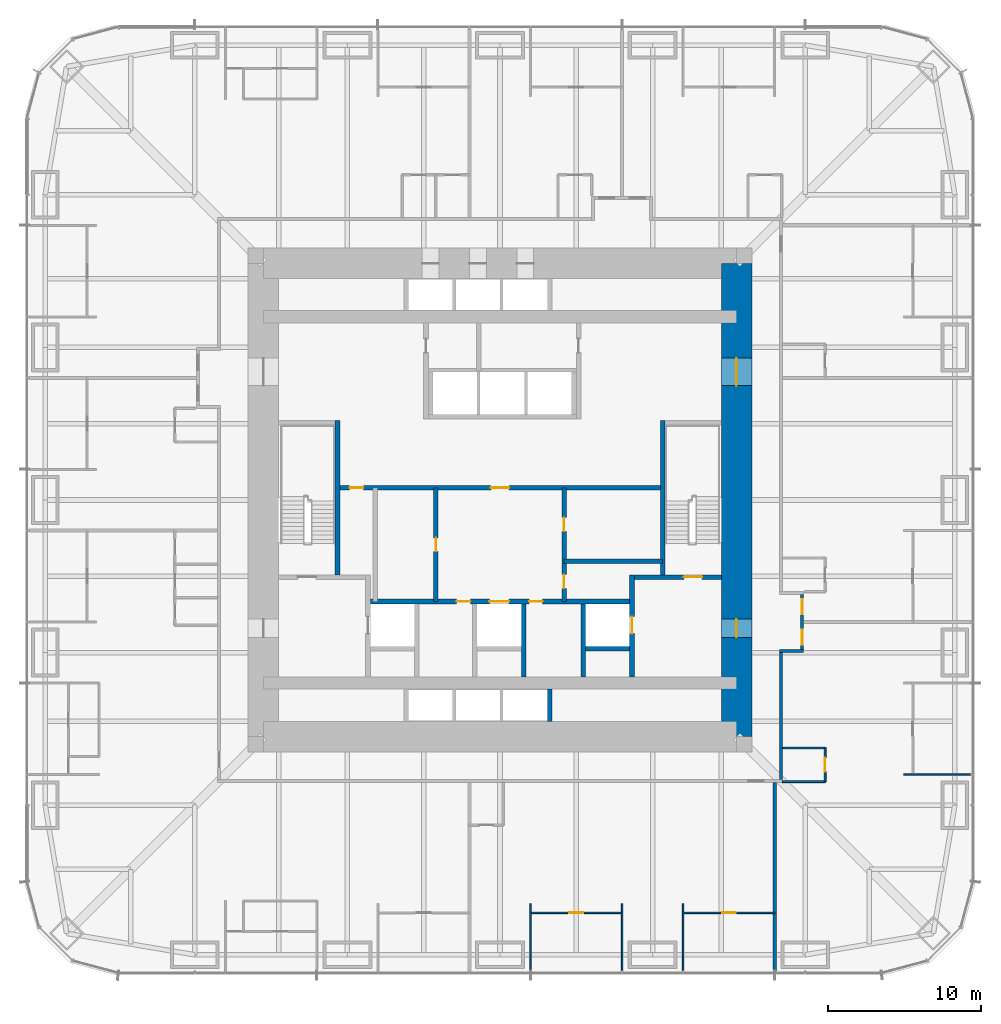
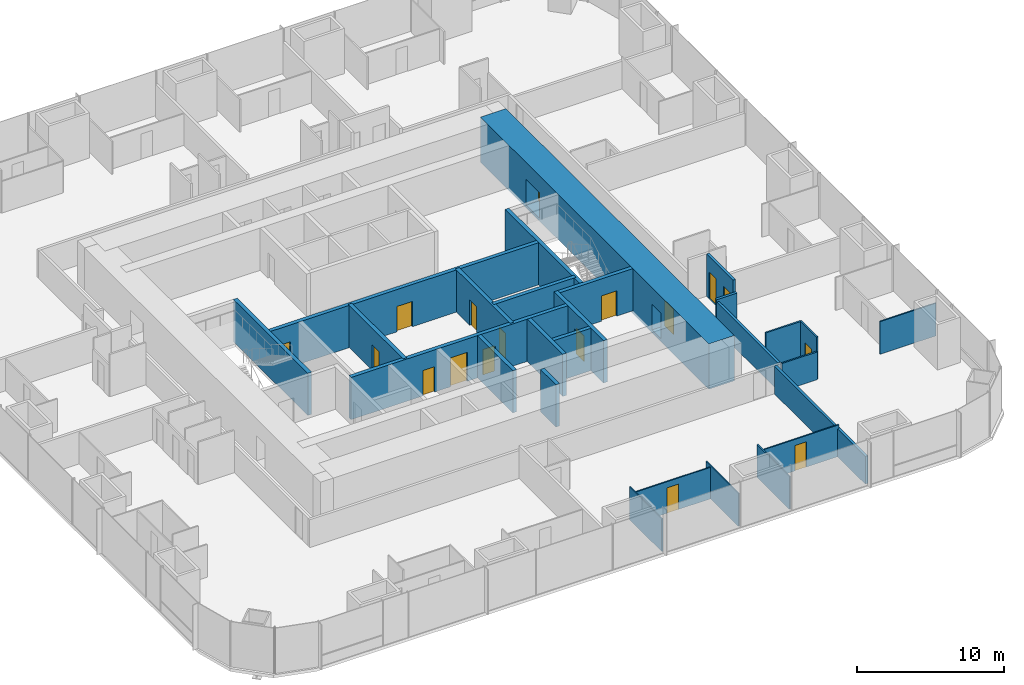
# One storey, part 13 of 17: 27 walls, 17 doors, 17 openings.
"""IFC4 building model written with IfcOpenShell, lengths in metres."""

from ifc_helpers import new_model, si_unit, direction, frame, frame_2d, origin, place, context, subcontext, project, spatial, rectangle, extrude, material, layer, layer_set, type_object, element, fill, save


model = new_model("IFC4")

# Units and contexts
model_context = context("Model", 3, precision=1e-05, world=origin(), true_north=direction((0.0, 1.0)))
body_context = subcontext(model_context, "Body", "Model", "MODEL_VIEW")
ifc_project = project(units=[si_unit("LENGTHUNIT", "METRE"), si_unit("AREAUNIT", "SQUARE_METRE"), si_unit("VOLUMEUNIT", "CUBIC_METRE"), si_unit("PLANEANGLEUNIT", "RADIAN"), si_unit("MASSUNIT", "GRAM", prefix="KILO")], contexts=[model_context])

# Site, building, storey
site_placement = place(None, origin())
site = spatial("IfcSite", under=ifc_project, at=site_placement, CompositionType="ELEMENT")
building_placement = place(site_placement, origin())
building = spatial("IfcBuilding", under=site, at=building_placement, Name="Khuree Lantern Residences", CompositionType="ELEMENT")
storey_placement = place(building_placement, frame((0.0, 0.0, 84.75)))
storey = spatial("IfcBuildingStorey", under=building, at=storey_placement, Name="L21", CompositionType="ELEMENT", Elevation=84.75)

# Wall, opening, door
ifc_material_1 = material(Name="Moisture-resistant gypsum board on steel studs", Category="steel")
ifc_layer_1 = layer(ifc_material_1, 0.125)
ifc_layer_set_1 = layer_set([ifc_layer_1], Name="BATHROOM WALL BTW125")
wall_type_1 = type_object("IfcWallType", Name="BATHROOM WALL BTW125", PredefinedType="PARTITIONING", material=ifc_layer_set_1)
wall_1_placement = place(storey_placement, frame((21.300048828125, -18.449951171875, 0.0), z_axis=(0.0, 0.0, 1.0), x_axis=(0.0, 1.0, 0.0)))
wall_1 = element("IfcWall", 1, at=wall_1_placement, inside=storey, type_object=wall_type_1, Name="L21 BATHROOM WALL 09", PredefinedType="PARTITIONING", context=body_context, shape_type="SweptSolid", body=[
    extrude(rectangle(XDim=2.199951171875, YDim=0.125, at=frame_2d((1.10009765625, 0.0))), origin(), (0.0, 0.0, 1.0), 3.5),
])
opening_1_placement = place(wall_1_placement, frame((0.64990234375, 0.0, 0.0)))
opening_1 = element("IfcOpeningElement", 2, at=opening_1_placement, cuts=wall_1, Name="Opening 21-059", PredefinedType="OPENING", context=body_context, shape_type="SweptSolid", body=[
    extrude(rectangle(XDim=0.89990234375, YDim=2.10009765625, at=frame_2d((0.449951171875, 1.050048828125))), frame((0.0, 0.072509765625, 0.0), z_axis=(0.0, -1.0, 0.0), x_axis=(1.0, 0.0, 0.0)), (0.0, 0.0, 1.0), 0.14501953125),
])
ifc_material_2 = material(Name="Timber door leaf in hardwood frame", Category="wood")
door_type_1 = type_object("IfcDoorType", Name="BATHROOM DOOR 900X2100", OperationType="SINGLE_SWING_LEFT", PredefinedType="DOOR", material=ifc_material_2)
door_1_placement = place(opening_1_placement, origin())
door_1 = element("IfcDoor", 3, at=door_1_placement, inside=storey, type_object=door_type_1, Name="Bathroom door 21-059", OperationType="SINGLE_SWING_LEFT", OverallHeight=2.10009765625, OverallWidth=0.89990234375, PredefinedType="DOOR", context=body_context, shape_type="SweptSolid", body=[
    extrude(rectangle(XDim=0.89990234375, YDim=2.10009765625, at=frame_2d((0.449951171875, 1.050048828125))), frame((0.0, 0.02490234375, 0.0), z_axis=(0.0, -1.0, 0.0), x_axis=(1.0, 0.0, 0.0)), (0.0, 0.0, 1.0), 0.050048828125),
])
fill(opening_1, door_1)

# Walls
wall_2_placement = place(storey_placement, frame((18.5, -18.449951171875, 0.0), z_axis=(0.0, 0.0, 1.0), x_axis=(1.0, 0.0, 0.0)))
element("IfcWall", 4, at=wall_2_placement, inside=storey, type_object=wall_type_1, Name="L21 BATHROOM WALL 09", PredefinedType="PARTITIONING", context=body_context, shape_type="SweptSolid", body=[
    extrude(rectangle(XDim=2.800048828125, YDim=0.125, at=frame_2d((1.39990234375, 0.0))), origin(), (0.0, 0.0, 1.0), 2.300048828125),
])
wall_3_placement = place(storey_placement, frame((18.5, -16.25, 0.0), z_axis=(0.0, 0.0, 1.0), x_axis=(1.0, 0.0, 0.0)))
element("IfcWall", 5, at=wall_3_placement, inside=storey, type_object=wall_type_1, Name="L21 BATHROOM WALL 09", PredefinedType="PARTITIONING", context=body_context, shape_type="SweptSolid", body=[
    extrude(rectangle(XDim=2.800048828125, YDim=0.125, at=frame_2d((1.39990234375, 0.0))), origin(), (0.0, 0.0, 1.0), 3.5),
])

# Wall, opening, door
ifc_material_3 = material(Name="Dense concrete blockwork", Category="masonry")
ifc_layer_2 = layer(ifc_material_3, 0.300048828125)
ifc_layer_set_2 = layer_set([ifc_layer_2], Name="CORE PARTITION WALL CPW300 EI 120")
wall_type_2 = type_object("IfcWallType", Name="CORE PARTITION WALL CPW300 EI 120", PredefinedType="PARTITIONING", material=ifc_layer_set_2)
wall_4_placement = place(storey_placement, frame((8.64990234375, -11.60009765625, 0.0), z_axis=(0.0, 0.0, 1.0), x_axis=(0.0, 1.0, 0.0)))
wall_4 = element("IfcWall", 6, at=wall_4_placement, inside=storey, type_object=wall_type_2, Name="L21 CORE WALL FL2E", PredefinedType="PARTITIONING", context=body_context, shape_type="SweptSolid", body=[
    extrude(rectangle(XDim=6.7001953125, YDim=0.300048828125, at=frame_2d((3.35009765625, 0.0))), origin(), (0.0, 0.0, 1.0), 3.5),
])
opening_2_placement = place(wall_4_placement, frame((2.85009765625, 0.0, 0.0)))
opening_2 = element("IfcOpeningElement", 7, at=opening_2_placement, cuts=wall_4, Name="Opening 21-008", PredefinedType="OPENING", context=body_context, shape_type="SweptSolid", body=[
    extrude(rectangle(XDim=1.10009765625, YDim=2.10009765625, at=frame_2d((0.550048828125, 1.050048828125))), frame((0.0, 0.16015625, 0.0), z_axis=(0.0, -1.0, 0.0), x_axis=(1.0, 0.0, 0.0)), (0.0, 0.0, 1.0), 0.320068359375),
])
ifc_material_4 = material(Name="Stainless steel lift landing door", Category="steel")
door_type_2 = type_object("IfcDoorType", Name="LIFT LANDING DOOR 1100X2100 E 120", OperationType="DOUBLE_DOOR_SLIDING", PredefinedType="DOOR", material=ifc_material_4)
door_2_placement = place(opening_2_placement, origin())
door_2 = element("IfcDoor", 8, at=door_2_placement, inside=storey, type_object=door_type_2, Name="Landing door FL2 21-008", OperationType="DOUBLE_DOOR_SLIDING", OverallHeight=2.10009765625, OverallWidth=1.10009765625, PredefinedType="DOOR", context=body_context, shape_type="SweptSolid", body=[
    extrude(rectangle(XDim=1.10009765625, YDim=2.10009765625, at=frame_2d((0.550048828125, 1.050048828125))), frame((0.0, 0.02490234375, 0.0), z_axis=(0.0, -1.0, 0.0), x_axis=(1.0, 0.0, 0.0)), (0.0, 0.0, 1.0), 0.050048828125),
])
fill(opening_2, door_2)

# Wall, openings, doors
wall_5_placement = place(storey_placement, frame((-8.5, -6.64990234375, 0.0), z_axis=(0.0, 0.0, 1.0), x_axis=(1.0, 0.0, 0.0)))
wall_5 = element("IfcWall", 9, at=wall_5_placement, inside=storey, type_object=wall_type_2, Name="L21 CORE WALL FLROW", PredefinedType="PARTITIONING", context=body_context, shape_type="SweptSolid", body=[
    extrude(rectangle(XDim=17.0, YDim=0.300048828125, at=frame_2d((8.5, 0.0))), origin(), (0.0, 0.0, 1.0), 3.5),
])
opening_3_placement = place(wall_5_placement, frame((7.800048828125, 0.0, 0.0)))
opening_3 = element("IfcOpeningElement", 10, at=opening_3_placement, cuts=wall_5, Name="Opening 21-012", PredefinedType="OPENING", context=body_context, shape_type="SweptSolid", body=[
    extrude(rectangle(XDim=1.300048828125, YDim=2.39990234375, at=frame_2d((0.64990234375, 1.199951171875))), frame((0.0, 0.16015625, 0.0), z_axis=(0.0, -1.0, 0.0), x_axis=(1.0, 0.0, 0.0)), (0.0, 0.0, 1.0), 0.320068359375),
])
opening_4_placement = place(wall_5_placement, frame((5.64990234375, 0.0, 0.0)))
opening_4 = element("IfcOpeningElement", 11, at=opening_4_placement, cuts=wall_5, Name="Opening 21-014", PredefinedType="OPENING", context=body_context, shape_type="SweptSolid", body=[
    extrude(rectangle(XDim=0.89990234375, YDim=2.10009765625, at=frame_2d((0.449951171875, 1.050048828125))), frame((0.0, 0.16015625, 0.0), z_axis=(0.0, -1.0, 0.0), x_axis=(1.0, 0.0, 0.0)), (0.0, 0.0, 1.0), 0.320068359375),
])
opening_5_placement = place(wall_5_placement, frame((10.39990234375, 0.0, 0.0)))
opening_5 = element("IfcOpeningElement", 12, at=opening_5_placement, cuts=wall_5, Name="Opening 21-015", PredefinedType="OPENING", context=body_context, shape_type="SweptSolid", body=[
    extrude(rectangle(XDim=0.89990234375, YDim=2.10009765625, at=frame_2d((0.449951171875, 1.050048828125))), frame((0.0, 0.16015625, 0.0), z_axis=(0.0, -1.0, 0.0), x_axis=(1.0, 0.0, 0.0)), (0.0, 0.0, 1.0), 0.320068359375),
])
ifc_material_5 = material(Name="Steel door leaf in steel frame", Category="steel")
door_type_3 = type_object("IfcDoorType", Name="DOOR 900X2100 EI 60", OperationType="SINGLE_SWING_LEFT", PredefinedType="DOOR", material=ifc_material_5)
door_3_placement = place(opening_4_placement, origin())
door_3 = element("IfcDoor", 13, at=door_3_placement, inside=storey, type_object=door_type_3, Name="Refuse chute room door 21-014", OperationType="SINGLE_SWING_LEFT", OverallHeight=2.10009765625, OverallWidth=0.89990234375, PredefinedType="DOOR", context=body_context, shape_type="SweptSolid", body=[
    extrude(rectangle(XDim=0.89990234375, YDim=2.10009765625, at=frame_2d((0.449951171875, 1.050048828125))), frame((0.0, 0.02490234375, 0.0), z_axis=(0.0, -1.0, 0.0), x_axis=(1.0, 0.0, 0.0)), (0.0, 0.0, 1.0), 0.050048828125),
])
fill(opening_4, door_3)
door_type_4 = type_object("IfcDoorType", Name="DOOR 900X2100 EI 60 RIGHT HAND", OperationType="SINGLE_SWING_RIGHT", PredefinedType="DOOR", material=ifc_material_5)
door_4_placement = place(opening_5_placement, origin())
door_4 = element("IfcDoor", 14, at=door_4_placement, inside=storey, type_object=door_type_4, Name="Electrical and plumbing riser door 21-015", OperationType="SINGLE_SWING_RIGHT", OverallHeight=2.10009765625, OverallWidth=0.89990234375, PredefinedType="DOOR", context=body_context, shape_type="SweptSolid", body=[
    extrude(rectangle(XDim=0.89990234375, YDim=2.10009765625, at=frame_2d((0.449951171875, 1.050048828125))), frame((0.0, 0.02490234375, 0.0), z_axis=(0.0, -1.0, 0.0), x_axis=(1.0, 0.0, 0.0)), (0.0, 0.0, 1.0), 0.050048828125),
])
fill(opening_5, door_4)
door_type_5 = type_object("IfcDoorType", Name="LIFT LANDING DOOR 1300X2400 E 60", OperationType="DOUBLE_DOOR_SLIDING", PredefinedType="DOOR", material=ifc_material_4)
door_5_placement = place(opening_3_placement, origin())
door_5 = element("IfcDoor", 15, at=door_5_placement, inside=storey, type_object=door_type_5, Name="Landing door SL1 21-012", OperationType="DOUBLE_DOOR_SLIDING", OverallHeight=2.39990234375, OverallWidth=1.300048828125, PredefinedType="DOOR", context=body_context, shape_type="SweptSolid", body=[
    extrude(rectangle(XDim=1.300048828125, YDim=2.39990234375, at=frame_2d((0.64990234375, 1.199951171875))), frame((0.0, 0.02490234375, 0.0), z_axis=(0.0, -1.0, 0.0), x_axis=(1.0, 0.0, 0.0)), (0.0, 0.0, 1.0), 0.050048828125),
])
fill(opening_3, door_5)

# Walls
for number, where, z_axis, x_axis, name in (
    (16, (1.550048828125, -11.60009765625, 0.0), (0.0, 0.0, 1.0), (0.0, 1.0, 0.0), "L21 CORE WALL SL1E"),
    (17, (5.449951171875, -11.60009765625, 0.0), (0.0, 0.0, 1.0), (0.0, 1.0, 0.0), "L21 CORE WALL FL2W"),
):
    element("IfcWall", number, at=place(storey_placement, frame(where, z_axis=z_axis, x_axis=x_axis)), inside=storey, type_object=wall_type_2, Name=name, PredefinedType="PARTITIONING", context=body_context, shape_type="SweptSolid", body=[
        extrude(rectangle(XDim=4.800048828125, YDim=0.300048828125, at=frame_2d((2.39990234375, 0.0))), origin(), (0.0, 0.0, 1.0), 3.5),
    ])
wall_6_placement = place(storey_placement, frame((5.60009765625, -9.75, 0.0), z_axis=(0.0, 0.0, 1.0), x_axis=(1.0, 0.0, 0.0)))
element("IfcWall", 18, at=wall_6_placement, inside=storey, type_object=wall_type_2, Name="L21 CORE WALL FL2S", PredefinedType="PARTITIONING", context=body_context, shape_type="SweptSolid", body=[
    extrude(rectangle(XDim=2.89990234375, YDim=0.300048828125, at=frame_2d((1.449951171875, 0.0))), origin(), (0.0, 0.0, 1.0), 3.5),
])
wall_7_placement = place(storey_placement, frame((3.25, -14.5, 0.0), z_axis=(0.0, 0.0, 1.0), x_axis=(0.0, 1.0, 0.0)))
element("IfcWall", 19, at=wall_7_placement, inside=storey, type_object=wall_type_2, Name="L21 CORE WALL PME", PredefinedType="PARTITIONING", context=body_context, shape_type="SweptSolid", body=[
    extrude(rectangle(XDim=2.10009765625, YDim=0.300048828125, at=frame_2d((1.050048828125, 0.0))), origin(), (0.0, 0.0, 1.0), 3.5),
])

# Wall, openings, doors
wall_8_placement = place(storey_placement, frame((-10.64990234375, 0.800048828125, 0.0), z_axis=(0.0, 0.0, 1.0), x_axis=(1.0, 0.0, 0.0)))
wall_8 = element("IfcWall", 20, at=wall_8_placement, inside=storey, type_object=wall_type_2, Name="L21 CORE WALL LLS", PredefinedType="PARTITIONING", context=body_context, shape_type="SweptSolid", body=[
    extrude(rectangle(XDim=21.2998046875, YDim=0.300048828125, at=frame_2d((10.64990234375, 0.0))), origin(), (0.0, 0.0, 1.0), 3.5),
])
opening_6_placement = place(wall_8_placement, frame((10.050048828125, 0.0, 0.0)))
opening_6 = element("IfcOpeningElement", 21, at=opening_6_placement, cuts=wall_8, Name="Opening 21-013", PredefinedType="OPENING", context=body_context, shape_type="SweptSolid", body=[
    extrude(rectangle(XDim=1.199951171875, YDim=2.10009765625, at=frame_2d((0.60009765625, 1.050048828125))), frame((0.0, 0.16015625, 0.0), z_axis=(0.0, -1.0, 0.0), x_axis=(1.0, 0.0, 0.0)), (0.0, 0.0, 1.0), 0.320068359375),
])
opening_7_placement = place(wall_8_placement, frame((0.79296875, 0.0, 0.0)))
opening_7 = element("IfcOpeningElement", 22, at=opening_7_placement, cuts=wall_8, Name="Opening 21-017", PredefinedType="OPENING", context=body_context, shape_type="SweptSolid", body=[
    extrude(rectangle(XDim=0.89990234375, YDim=2.10009765625, at=frame_2d((0.449951171875, 1.050048828125))), frame((0.0, 0.16015625, 0.0), z_axis=(0.0, -1.0, 0.0), x_axis=(1.0, 0.0, 0.0)), (0.0, 0.0, 1.0), 0.320068359375),
])
door_type_6 = type_object("IfcDoorType", Name="DOOR 1200X2100 EI 60", OperationType="SINGLE_SWING_LEFT", PredefinedType="DOOR", material=ifc_material_5)
door_6_placement = place(opening_6_placement, origin())
door_6 = element("IfcDoor", 23, at=door_6_placement, inside=storey, type_object=door_type_6, Name="Service lift lobby door 21-013", OperationType="SINGLE_SWING_LEFT", OverallHeight=2.10009765625, OverallWidth=1.199951171875, PredefinedType="DOOR", context=body_context, shape_type="SweptSolid", body=[
    extrude(rectangle(XDim=1.199951171875, YDim=2.10009765625, at=frame_2d((0.60009765625, 1.050048828125))), frame((0.0, 0.02490234375, 0.0), z_axis=(0.0, -1.0, 0.0), x_axis=(1.0, 0.0, 0.0)), (0.0, 0.0, 1.0), 0.050048828125),
])
fill(opening_6, door_6)
door_type_7 = type_object("IfcDoorType", Name="DOOR 900X2100", OperationType="SINGLE_SWING_LEFT", PredefinedType="DOOR", material=ifc_material_2)
door_7_placement = place(opening_7_placement, origin())
door_7 = element("IfcDoor", 24, at=door_7_placement, inside=storey, type_object=door_type_7, Name="Building management room door 21-017", OperationType="SINGLE_SWING_LEFT", OverallHeight=2.10009765625, OverallWidth=0.89990234375, PredefinedType="DOOR", context=body_context, shape_type="SweptSolid", body=[
    extrude(rectangle(XDim=0.89990234375, YDim=2.10009765625, at=frame_2d((0.449951171875, 1.050048828125))), frame((0.0, 0.02490234375, 0.0), z_axis=(0.0, -1.0, 0.0), x_axis=(1.0, 0.0, 0.0)), (0.0, 0.0, 1.0), 0.050048828125),
])
fill(opening_7, door_7)

# Wall, opening, door
wall_9_placement = place(storey_placement, frame((-4.199951171875, -6.64990234375, 0.0), z_axis=(0.0, 0.0, 1.0), x_axis=(0.0, 1.0, 0.0)))
wall_9 = element("IfcWall", 25, at=wall_9_placement, inside=storey, type_object=wall_type_2, Name="L21 CORE WALL SVW", PredefinedType="PARTITIONING", context=body_context, shape_type="SweptSolid", body=[
    extrude(rectangle(XDim=7.449951171875, YDim=0.300048828125, at=frame_2d((3.72509765625, 0.0))), origin(), (0.0, 0.0, 1.0), 3.5),
])
opening_8_placement = place(wall_9_placement, frame((3.27490234375, 0.0, 0.0)))
opening_8 = element("IfcOpeningElement", 26, at=opening_8_placement, cuts=wall_9, Name="Opening 21-016", PredefinedType="OPENING", context=body_context, shape_type="SweptSolid", body=[
    extrude(rectangle(XDim=0.89990234375, YDim=2.10009765625, at=frame_2d((0.449951171875, 1.050048828125))), frame((0.0, 0.16015625, 0.0), z_axis=(0.0, -1.0, 0.0), x_axis=(1.0, 0.0, 0.0)), (0.0, 0.0, 1.0), 0.320068359375),
])
door_8_placement = place(opening_8_placement, origin())
door_8 = element("IfcDoor", 27, at=door_8_placement, inside=storey, type_object=door_type_7, Name="Residents' store door 21-016", OperationType="SINGLE_SWING_LEFT", OverallHeight=2.10009765625, OverallWidth=0.89990234375, PredefinedType="DOOR", context=body_context, shape_type="SweptSolid", body=[
    extrude(rectangle(XDim=0.89990234375, YDim=2.10009765625, at=frame_2d((0.449951171875, 1.050048828125))), frame((0.0, 0.02490234375, 0.0), z_axis=(0.0, -1.0, 0.0), x_axis=(1.0, 0.0, 0.0)), (0.0, 0.0, 1.0), 0.050048828125),
])
fill(opening_8, door_8)

# Wall, openings, doors
wall_10_placement = place(storey_placement, frame((4.199951171875, -6.64990234375, 0.0), z_axis=(0.0, 0.0, 1.0), x_axis=(0.0, 1.0, 0.0)))
wall_10 = element("IfcWall", 28, at=wall_10_placement, inside=storey, type_object=wall_type_2, Name="L21 CORE WALL SVE", PredefinedType="PARTITIONING", context=body_context, shape_type="SweptSolid", body=[
    extrude(rectangle(XDim=7.449951171875, YDim=0.300048828125, at=frame_2d((3.72509765625, 0.0))), origin(), (0.0, 0.0, 1.0), 3.5),
])
opening_9_placement = place(wall_10_placement, frame((0.865966796875, 0.0, 0.0)))
opening_9 = element("IfcOpeningElement", 29, at=opening_9_placement, cuts=wall_10, Name="Opening 21-018", PredefinedType="OPENING", context=body_context, shape_type="SweptSolid", body=[
    extrude(rectangle(XDim=0.89990234375, YDim=2.10009765625, at=frame_2d((0.449951171875, 1.050048828125))), frame((0.0, 0.16015625, 0.0), z_axis=(0.0, -1.0, 0.0), x_axis=(1.0, 0.0, 0.0)), (0.0, 0.0, 1.0), 0.320068359375),
])
opening_10_placement = place(wall_10_placement, frame((4.591064453125, 0.0, 0.0)))
opening_10 = element("IfcOpeningElement", 30, at=opening_10_placement, cuts=wall_10, Name="Opening 21-019", PredefinedType="OPENING", context=body_context, shape_type="SweptSolid", body=[
    extrude(rectangle(XDim=0.89990234375, YDim=2.10009765625, at=frame_2d((0.449951171875, 1.050048828125))), frame((0.0, 0.16015625, 0.0), z_axis=(0.0, -1.0, 0.0), x_axis=(1.0, 0.0, 0.0)), (0.0, 0.0, 1.0), 0.320068359375),
])
door_9_placement = place(opening_9_placement, origin())
door_9 = element("IfcDoor", 31, at=door_9_placement, inside=storey, type_object=door_type_7, Name="Comms room door 21-018", OperationType="SINGLE_SWING_LEFT", OverallHeight=2.10009765625, OverallWidth=0.89990234375, PredefinedType="DOOR", context=body_context, shape_type="SweptSolid", body=[
    extrude(rectangle(XDim=0.89990234375, YDim=2.10009765625, at=frame_2d((0.449951171875, 1.050048828125))), frame((0.0, 0.02490234375, 0.0), z_axis=(0.0, -1.0, 0.0), x_axis=(1.0, 0.0, 0.0)), (0.0, 0.0, 1.0), 0.050048828125),
])
fill(opening_9, door_9)
door_type_8 = type_object("IfcDoorType", Name="DOOR 900X2100 RIGHT HAND", OperationType="SINGLE_SWING_RIGHT", PredefinedType="DOOR", material=ifc_material_2)
door_10_placement = place(opening_10_placement, origin())
door_10 = element("IfcDoor", 32, at=door_10_placement, inside=storey, type_object=door_type_8, Name="Residents' store door 21-019", OperationType="SINGLE_SWING_RIGHT", OverallHeight=2.10009765625, OverallWidth=0.89990234375, PredefinedType="DOOR", context=body_context, shape_type="SweptSolid", body=[
    extrude(rectangle(XDim=0.89990234375, YDim=2.10009765625, at=frame_2d((0.449951171875, 1.050048828125))), frame((0.0, 0.02490234375, 0.0), z_axis=(0.0, -1.0, 0.0), x_axis=(1.0, 0.0, 0.0)), (0.0, 0.0, 1.0), 0.050048828125),
])
fill(opening_10, door_10)

# Walls
wall_11_placement = place(storey_placement, frame((10.64990234375, -4.01806640625, 0.0), z_axis=(0.0, 0.0, 1.0), x_axis=(-1.0, 0.0, 0.0)))
element("IfcWall", 33, at=wall_11_placement, inside=storey, type_object=wall_type_2, Name="L21 CORE WALL EX", PredefinedType="PARTITIONING", context=body_context, shape_type="SweptSolid", body=[
    extrude(rectangle(XDim=6.449951171875, YDim=0.300048828125, at=frame_2d((3.22509765625, 0.0))), origin(), (0.0, 0.0, 1.0), 3.5),
])
ifc_material_6 = material(Name="Gypsum board on steel studs", Category="steel")
ifc_layer_3 = layer(ifc_material_6, 0.199951171875)
ifc_layer_set_3 = layer_set([ifc_layer_3], Name="CORRIDOR WALL CRW200 EI 60")
wall_type_3 = type_object("IfcWallType", Name="CORRIDOR WALL CRW200 EI 60", PredefinedType="PARTITIONING", material=ifc_layer_set_3)
wall_12_placement = place(storey_placement, frame((18.39990234375, -18.300048828125, 0.0), z_axis=(0.0, 0.0, 1.0), x_axis=(0.0, 1.0, 0.0)))
element("IfcWall", 34, at=wall_12_placement, inside=storey, type_object=wall_type_3, Name="L21 CORRIDOR WALL EAST 1", PredefinedType="PARTITIONING", context=body_context, shape_type="SweptSolid", body=[
    extrude(rectangle(XDim=8.300048828125, YDim=0.199951171875, at=frame_2d((4.14990234375, 0.0))), origin(), (0.0, 0.0, 1.0), 2.300048828125),
])
wall_13_placement = place(storey_placement, frame((18.300048828125, -9.89990234375, 0.0), z_axis=(0.0, 0.0, 1.0), x_axis=(1.0, 0.0, 0.0)))
element("IfcWall", 35, at=wall_13_placement, inside=storey, type_object=wall_type_3, Name="L21 CORRIDOR ALCOVE WALL EAST", PredefinedType="PARTITIONING", context=body_context, shape_type="SweptSolid", body=[
    extrude(rectangle(XDim=1.599853515625, YDim=0.199951171875, at=frame_2d((0.7998046875, 0.0))), origin(), (0.0, 0.0, 1.0), 2.491943359375),
])

# Wall, openings, doors
wall_14_placement = place(storey_placement, frame((19.800048828125, -9.800048828125, 0.0), z_axis=(0.0, 0.0, 1.0), x_axis=(0.0, 1.0, 0.0)))
wall_14 = element("IfcWall", 36, at=wall_14_placement, inside=storey, type_object=wall_type_3, Name="L21 CORRIDOR ALCOVE WALL EAST", PredefinedType="PARTITIONING", context=body_context, shape_type="SweptSolid", body=[
    extrude(rectangle(XDim=3.60009765625, YDim=0.199951171875, at=frame_2d((1.800048828125, 0.0))), origin(), (0.0, 0.0, 1.0), 3.5),
])
opening_11_placement = place(wall_14_placement, frame((2.300048828125, 0.0, 0.0)))
opening_11 = element("IfcOpeningElement", 37, at=opening_11_placement, cuts=wall_14, Name="Opening 21-024", PredefinedType="OPENING", context=body_context, shape_type="SweptSolid", body=[
    extrude(rectangle(XDim=1.0, YDim=2.199951171875, at=frame_2d((0.5, 1.10009765625))), frame((0.0, 0.10986328125, 0.0), z_axis=(0.0, -1.0, 0.0), x_axis=(1.0, 0.0, 0.0)), (0.0, 0.0, 1.0), 0.219970703125),
])
opening_12_placement = place(wall_14_placement, frame((0.300048828125, 0.0, 0.0)))
opening_12 = element("IfcOpeningElement", 38, at=opening_12_placement, cuts=wall_14, Name="Opening 21-060", PredefinedType="OPENING", context=body_context, shape_type="SweptSolid", body=[
    extrude(rectangle(XDim=1.0, YDim=2.199951171875, at=frame_2d((0.5, 1.10009765625))), frame((0.0, 0.10986328125, 0.0), z_axis=(0.0, -1.0, 0.0), x_axis=(1.0, 0.0, 0.0)), (0.0, 0.0, 1.0), 0.219970703125),
])
door_type_9 = type_object("IfcDoorType", Name="APARTMENT ENTRANCE DOOR 1000X2200 EI 30S", OperationType="SINGLE_SWING_LEFT", PredefinedType="DOOR", material=ifc_material_2)
door_11_placement = place(opening_12_placement, origin())
door_11 = element("IfcDoor", 39, at=door_11_placement, inside=storey, type_object=door_type_9, Name="Apartment 09 entrance door 21-060", OperationType="SINGLE_SWING_LEFT", OverallHeight=2.199951171875, OverallWidth=1.0, PredefinedType="DOOR", context=body_context, shape_type="SweptSolid", body=[
    extrude(rectangle(XDim=1.0, YDim=2.199951171875, at=frame_2d((0.5, 1.10009765625))), frame((0.0, 0.02490234375, 0.0), z_axis=(0.0, -1.0, 0.0), x_axis=(1.0, 0.0, 0.0)), (0.0, 0.0, 1.0), 0.050048828125),
])
fill(opening_12, door_11)
door_type_10 = type_object("IfcDoorType", Name="APARTMENT ENTRANCE DOOR 1000X2200 EI 30S RIGHT HAND", OperationType="SINGLE_SWING_RIGHT", PredefinedType="DOOR", material=ifc_material_2)
door_12_placement = place(opening_11_placement, origin())
door_12 = element("IfcDoor", 40, at=door_12_placement, inside=storey, type_object=door_type_10, Name="Apartment 01 entrance door 21-024", OperationType="SINGLE_SWING_RIGHT", OverallHeight=2.199951171875, OverallWidth=1.0, PredefinedType="DOOR", context=body_context, shape_type="SweptSolid", body=[
    extrude(rectangle(XDim=1.0, YDim=2.199951171875, at=frame_2d((0.5, 1.10009765625))), frame((0.0, 0.02490234375, 0.0), z_axis=(0.0, -1.0, 0.0), x_axis=(1.0, 0.0, 0.0)), (0.0, 0.0, 1.0), 0.050048828125),
])
fill(opening_11, door_12)

ifc_material_7 = material(Name="Concrete C70/85", Category="concrete")
ifc_layer_4 = layer(ifc_material_7, 2.0)
ifc_layer_set_4 = layer_set([ifc_layer_4], Name="CW2000-C70 CORE WALL C70 2000")
wall_type_4 = type_object("IfcWallType", Name="CW2000-C70 CORE WALL C70 2000", PredefinedType="SHEAR", material=ifc_layer_set_4)
wall_15_placement = place(storey_placement, frame((15.5, -15.5, -0.25), z_axis=(0.0, 0.0, 1.0), x_axis=(0.0, 1.0, 0.0)))
wall_15 = element("IfcWall", 41, at=wall_15_placement, inside=storey, type_object=wall_type_4, Name="Core wall E", PredefinedType="SHEAR", context=body_context, shape_type="SweptSolid", body=[
    extrude(rectangle(XDim=31.0, YDim=2.0, at=frame_2d((15.5, 0.0))), origin(), (0.0, 0.0, 1.0), 3.75),
])
opening_13_placement = place(wall_15_placement, frame((6.5, 0.0, 0.25)))
opening_13 = element("IfcOpeningElement", 42, at=opening_13_placement, cuts=wall_15, Name="Opening 21-005", PredefinedType="OPENING", context=body_context, shape_type="SweptSolid", body=[
    extrude(rectangle(XDim=1.199951171875, YDim=2.10009765625, at=frame_2d((0.60009765625, 1.050048828125))), frame((0.0, 1.010009765625, 0.0), z_axis=(0.0, -1.0, 0.0), x_axis=(1.0, 0.0, 0.0)), (0.0, 0.0, 1.0), 2.02001953125),
])
opening_14_placement = place(wall_15_placement, frame((23.0, 0.0, 0.25)))
opening_14 = element("IfcOpeningElement", 43, at=opening_14_placement, cuts=wall_15, Name="Opening 21-006", PredefinedType="OPENING", context=body_context, shape_type="SweptSolid", body=[
    extrude(rectangle(XDim=1.800048828125, YDim=2.10009765625, at=frame_2d((0.89990234375, 1.050048828125))), frame((0.0, 1.010009765625, 0.0), z_axis=(0.0, -1.0, 0.0), x_axis=(1.0, 0.0, 0.0)), (0.0, 0.0, 1.0), 2.02001953125),
])
door_type_11 = type_object("IfcDoorType", Name="LOBBY DOOR 1200X2100 EI 120", OperationType="SINGLE_SWING_LEFT", PredefinedType="DOOR", material=ifc_material_5)
door_13_placement = place(opening_13_placement, origin())
door_13 = element("IfcDoor", 44, at=door_13_placement, inside=storey, type_object=door_type_11, Name="Firefighting lobby door 21-005", OperationType="SINGLE_SWING_LEFT", OverallHeight=2.10009765625, OverallWidth=1.199951171875, PredefinedType="DOOR", context=body_context, shape_type="SweptSolid", body=[
    extrude(rectangle(XDim=1.199951171875, YDim=2.10009765625, at=frame_2d((0.60009765625, 1.050048828125))), frame((0.0, 0.02490234375, 0.0), z_axis=(0.0, -1.0, 0.0), x_axis=(1.0, 0.0, 0.0)), (0.0, 0.0, 1.0), 0.050048828125),
])
fill(opening_13, door_13)
door_type_12 = type_object("IfcDoorType", Name="LOBBY DOUBLE DOOR 1800X2100 EI 60", OperationType="DOUBLE_DOOR_SINGLE_SWING", PredefinedType="DOOR", material=ifc_material_5)
door_14_placement = place(opening_14_placement, origin())
door_14 = element("IfcDoor", 45, at=door_14_placement, inside=storey, type_object=door_type_12, Name="Lift lobby door 21-006", OperationType="DOUBLE_DOOR_SINGLE_SWING", OverallHeight=2.10009765625, OverallWidth=1.800048828125, PredefinedType="DOOR", context=body_context, shape_type="SweptSolid", body=[
    extrude(rectangle(XDim=1.800048828125, YDim=2.10009765625, at=frame_2d((0.89990234375, 1.050048828125))), frame((0.0, 0.02490234375, 0.0), z_axis=(0.0, -1.0, 0.0), x_axis=(1.0, 0.0, 0.0)), (0.0, 0.0, 1.0), 0.050048828125),
])
fill(opening_14, door_14)

# Walls
ifc_layer_5 = layer(ifc_material_6, 0.199951171875)
ifc_layer_set_5 = layer_set([ifc_layer_5], Name="DEMISING WALL DMW200 EI 90")
wall_type_5 = type_object("IfcWallType", Name="DEMISING WALL DMW200 EI 90", PredefinedType="PARTITIONING", material=ifc_layer_set_5)
wall_16_placement = place(storey_placement, frame((18.0, -18.5, 0.0), z_axis=(0.0, 0.0, 1.0), x_axis=(0.0, -1.0, 0.0)))
element("IfcWall", 46, at=wall_16_placement, inside=storey, type_object=wall_type_5, Name="L21 DEMISING WALL 09", PredefinedType="PARTITIONING", context=body_context, shape_type="SweptSolid", body=[
    extrude(rectangle(XDim=12.35009765625, YDim=0.199951171875, at=frame_2d((6.175048828125, 0.0))), origin(), (0.0, 0.0, 1.0), 2.300048828125),
])
ifc_layer_6 = layer(ifc_material_6, 0.10009765625)
ifc_layer_set_6 = layer_set([ifc_layer_6], Name="PARTITION PT100")
wall_type_6 = type_object("IfcWallType", Name="PARTITION PT100", PredefinedType="PARTITIONING", material=ifc_layer_set_6)
for number, where, z_axis, x_axis, name in (
    (47, (2.0, -26.449951171875, 0.0), (0.0, 0.0, 1.0), (0.0, -1.0, 0.0), "L21 PARTITION 08"),
    (48, (8.0, -26.449951171875, 0.0), (0.0, 0.0, 1.0), (0.0, -1.0, 0.0), "L21 PARTITION 08"),
    (49, (12.0, -26.449951171875, 0.0), (0.0, 0.0, 1.0), (0.0, -1.0, 0.0), "L21 PARTITION 08"),
    (50, (26.449951171875, -18.0, 0.0), (0.0, 0.0, 1.0), (1.0, 0.0, 0.0), "L21 PARTITION 09"),
):
    element("IfcWall", number, at=place(storey_placement, frame(where, z_axis=z_axis, x_axis=x_axis)), inside=storey, type_object=wall_type_6, Name=name, PredefinedType="PARTITIONING", context=body_context, shape_type="SweptSolid", body=[
        extrude(rectangle(XDim=4.400146484375, YDim=0.10009765625, at=frame_2d((2.2001953125, 0.0))), origin(), (0.0, 0.0, 1.0), 2.7099609375),
    ])

# Wall, opening, door
wall_17_placement = place(storey_placement, frame((2.0, -27.050048828125, 0.0), z_axis=(0.0, 0.0, 1.0), x_axis=(1.0, 0.0, 0.0)))
wall_17 = element("IfcWall", 51, at=wall_17_placement, inside=storey, type_object=wall_type_6, Name="L21 PARTITION 08", PredefinedType="PARTITIONING", context=body_context, shape_type="SweptSolid", body=[
    extrude(rectangle(XDim=6.0, YDim=0.10009765625, at=frame_2d((3.0, 0.0))), origin(), (0.0, 0.0, 1.0), 2.610107421875),
])
opening_15_placement = place(wall_17_placement, frame((2.550048828125, 0.0, 0.0)))
opening_15 = element("IfcOpeningElement", 52, at=opening_15_placement, cuts=wall_17, Name="Opening 21-054", PredefinedType="OPENING", context=body_context, shape_type="SweptSolid", body=[
    extrude(rectangle(XDim=0.89990234375, YDim=2.10009765625, at=frame_2d((0.449951171875, 1.050048828125))), frame((0.0, 0.06005859375, 0.0), z_axis=(0.0, -1.0, 0.0), x_axis=(1.0, 0.0, 0.0)), (0.0, 0.0, 1.0), 0.1201171875),
])
door_type_13 = type_object("IfcDoorType", Name="BEDROOM DOOR 900X2100", OperationType="SINGLE_SWING_LEFT", PredefinedType="DOOR", material=ifc_material_2)
door_15_placement = place(opening_15_placement, origin())
door_15 = element("IfcDoor", 53, at=door_15_placement, inside=storey, type_object=door_type_13, Name="Bedroom door 21-054", OperationType="SINGLE_SWING_LEFT", OverallHeight=2.10009765625, OverallWidth=0.89990234375, PredefinedType="DOOR", context=body_context, shape_type="SweptSolid", body=[
    extrude(rectangle(XDim=0.89990234375, YDim=2.10009765625, at=frame_2d((0.449951171875, 1.050048828125))), frame((0.0, 0.02490234375, 0.0), z_axis=(0.0, -1.0, 0.0), x_axis=(1.0, 0.0, 0.0)), (0.0, 0.0, 1.0), 0.050048828125),
])
fill(opening_15, door_15)

wall_18_placement = place(storey_placement, frame((12.0, -27.050048828125, 0.0), z_axis=(0.0, 0.0, 1.0), x_axis=(1.0, 0.0, 0.0)))
wall_18 = element("IfcWall", 54, at=wall_18_placement, inside=storey, type_object=wall_type_6, Name="L21 PARTITION 08", PredefinedType="PARTITIONING", context=body_context, shape_type="SweptSolid", body=[
    extrude(rectangle(XDim=6.0, YDim=0.10009765625, at=frame_2d((3.0, 0.0))), origin(), (0.0, 0.0, 1.0), 2.610107421875),
])
opening_16_placement = place(wall_18_placement, frame((2.550048828125, 0.0, 0.0)))
opening_16 = element("IfcOpeningElement", 55, at=opening_16_placement, cuts=wall_18, Name="Opening 21-055", PredefinedType="OPENING", context=body_context, shape_type="SweptSolid", body=[
    extrude(rectangle(XDim=0.89990234375, YDim=2.10009765625, at=frame_2d((0.449951171875, 1.050048828125))), frame((0.0, 0.06005859375, 0.0), z_axis=(0.0, -1.0, 0.0), x_axis=(1.0, 0.0, 0.0)), (0.0, 0.0, 1.0), 0.1201171875),
])
door_type_14 = type_object("IfcDoorType", Name="BEDROOM DOOR 900X2100 RIGHT HAND", OperationType="SINGLE_SWING_RIGHT", PredefinedType="DOOR", material=ifc_material_2)
door_16_placement = place(opening_16_placement, origin())
door_16 = element("IfcDoor", 56, at=door_16_placement, inside=storey, type_object=door_type_14, Name="Bedroom door 21-055", OperationType="SINGLE_SWING_RIGHT", OverallHeight=2.10009765625, OverallWidth=0.89990234375, PredefinedType="DOOR", context=body_context, shape_type="SweptSolid", body=[
    extrude(rectangle(XDim=0.89990234375, YDim=2.10009765625, at=frame_2d((0.449951171875, 1.050048828125))), frame((0.0, 0.02490234375, 0.0), z_axis=(0.0, -1.0, 0.0), x_axis=(1.0, 0.0, 0.0)), (0.0, 0.0, 1.0), 0.050048828125),
])
fill(opening_16, door_16)

# Walls
ifc_material_8 = material(Name="Concrete C50/60", Category="concrete")
ifc_layer_7 = layer(ifc_material_8, 0.300048828125)
ifc_layer_set_7 = layer_set([ifc_layer_7], Name="STAIR WALL SRW300 C50/60 REI 240")
wall_type_7 = type_object("IfcWallType", Name="STAIR WALL SRW300 C50/60 REI 240", PredefinedType="SOLIDWALL", material=ifc_layer_set_7)
for number, where, z_axis, x_axis, name in (
    (57, (-10.64990234375, -4.89990234375, 0.0), (0.0, 0.0, 1.0), (0.0, 1.0, 0.0), "L21 STAIR WALL ST1E"),
    (58, (10.64990234375, -4.89990234375, 0.0), (0.0, 0.0, 1.0), (0.0, 1.0, 0.0), "L21 STAIR WALL ST2E"),
):
    element("IfcWall", number, at=place(storey_placement, frame(where, z_axis=z_axis, x_axis=x_axis)), inside=storey, type_object=wall_type_7, Name=name, PredefinedType="SOLIDWALL", context=body_context, shape_type="SweptSolid", body=[
        extrude(rectangle(XDim=10.099853515625, YDim=0.300048828125, at=frame_2d((5.0498046875, 0.0))), origin(), (0.0, 0.0, 1.0), 3.5),
    ])

# Wall, opening, door
wall_19_placement = place(storey_placement, frame((14.5, -5.050048828125, 0.0), z_axis=(0.0, 0.0, 1.0), x_axis=(-1.0, 0.0, 0.0)))
wall_19 = element("IfcWall", 59, at=wall_19_placement, inside=storey, type_object=wall_type_7, Name="L21 STAIR WALL ST2S", PredefinedType="SOLIDWALL", context=body_context, shape_type="SweptSolid", body=[
    extrude(rectangle(XDim=5.699951171875, YDim=0.300048828125, at=frame_2d((2.85009765625, 0.0))), origin(), (0.0, 0.0, 1.0), 3.5),
])
opening_17_placement = place(wall_19_placement, frame((1.25, 0.0, 0.0)))
opening_17 = element("IfcOpeningElement", 60, at=opening_17_placement, cuts=wall_19, Name="Opening 21-004", PredefinedType="OPENING", context=body_context, shape_type="SweptSolid", body=[
    extrude(rectangle(XDim=1.199951171875, YDim=2.10009765625, at=frame_2d((0.60009765625, 1.050048828125))), frame((0.0, 0.16015625, 0.0), z_axis=(0.0, -1.0, 0.0), x_axis=(1.0, 0.0, 0.0)), (0.0, 0.0, 1.0), 0.320068359375),
])
door_type_15 = type_object("IfcDoorType", Name="STAIR DOOR 1200X2100 EI 120", OperationType="SINGLE_SWING_LEFT", PredefinedType="DOOR", material=ifc_material_5)
door_17_placement = place(opening_17_placement, origin())
door_17 = element("IfcDoor", 61, at=door_17_placement, inside=storey, type_object=door_type_15, Name="Stair ST2 door 21-004", OperationType="SINGLE_SWING_LEFT", OverallHeight=2.10009765625, OverallWidth=1.199951171875, PredefinedType="DOOR", context=body_context, shape_type="SweptSolid", body=[
    extrude(rectangle(XDim=1.199951171875, YDim=2.10009765625, at=frame_2d((0.60009765625, 1.050048828125))), frame((0.0, 0.02490234375, 0.0), z_axis=(0.0, -1.0, 0.0), x_axis=(1.0, 0.0, 0.0)), (0.0, 0.0, 1.0), 0.050048828125),
])
fill(opening_17, door_17)

save(model, "model.ifc")
